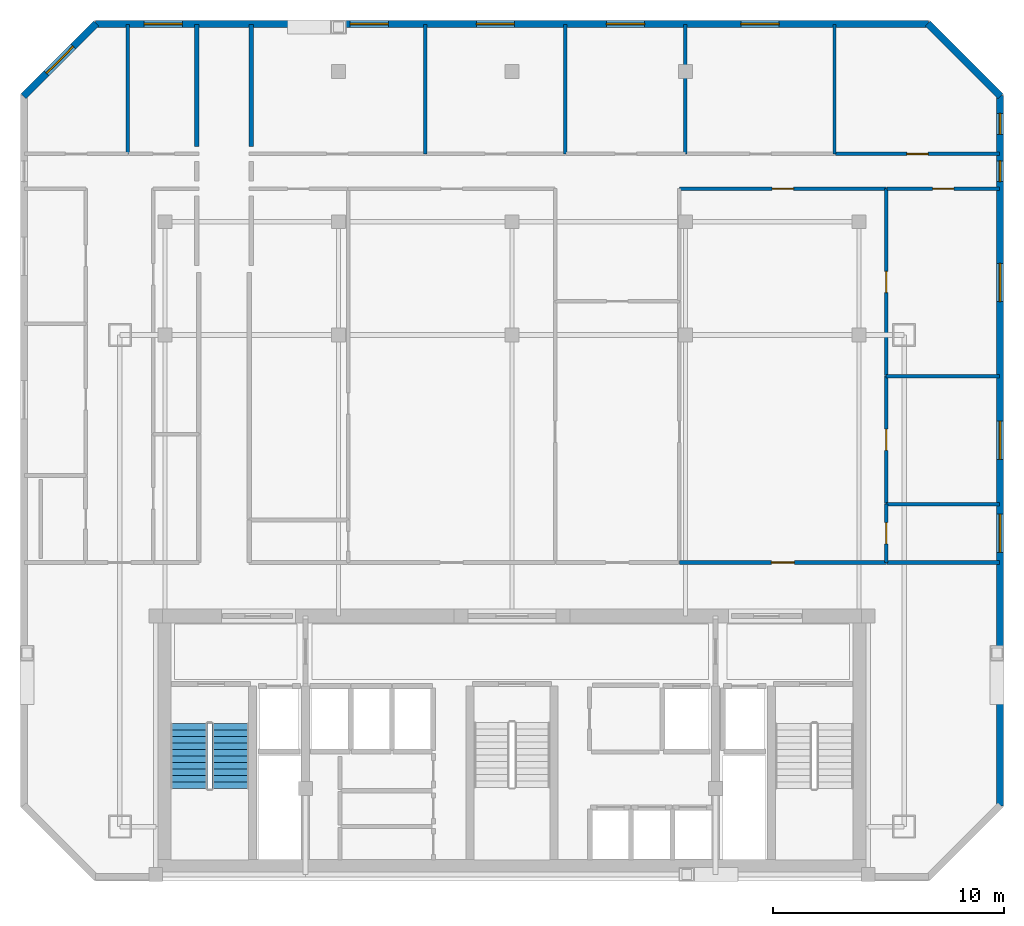
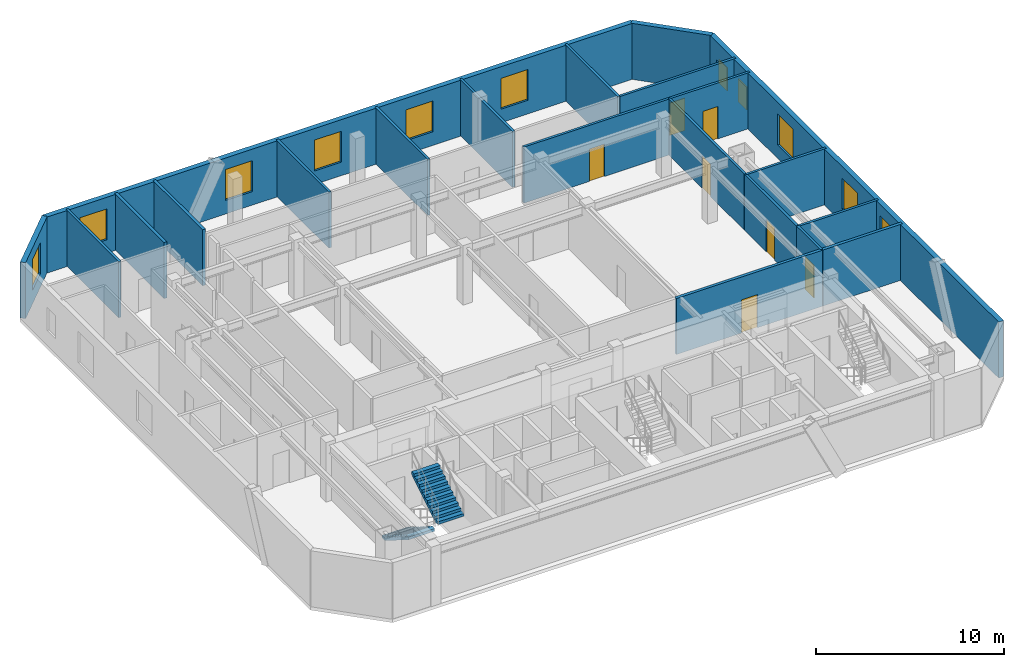
# One storey, part 5 of 7: 21 walls, 11 windows, 7 doors, 2 stair flights, 18 openings, 1 element without a shape of its own.
"""IFC4 building model written with IfcOpenShell, lengths in metres."""

import ifcopenshell
import ifcopenshell.guid

model = None  # the IFC model being written
_history = None  # IfcOwnerHistory: only IFC2X3 demands one
_inside = {}  # id of a spatial element -> (the spatial element, [elements in it])
_under = {}  # id of a project, library or spatial element -> (it, [spatial elements below it])
_declared = {}  # id of a project -> (the project, [libraries it declares])
_typed = {}  # id of a type object -> (the type object, [elements of that type])
_made_of = {}  # id of a material, layer set ... -> (it, [elements and type objects made of it])


def new_model(schema):
    """Start an empty IFC model of exactly this schema.

    Asked for "IFC4X3", IfcOpenShell would pick the latest addendum, in which some entities
    have other attributes; the version numbers below select the first issue.
    IFC2X3 requires an IfcOwnerHistory on every rooted entity: one is made here for all.
    """
    global model, _history
    if schema == "IFC4X3":
        model = ifcopenshell.file(schema_version=(4, 3, 0, 0))
    else:
        model = ifcopenshell.file(schema=schema)
    _inside.clear()
    _under.clear()
    _declared.clear()
    _typed.clear()
    _made_of.clear()
    _history = None
    if model.schema == "IFC2X3":
        org = make("IfcOrganization", Name="unknown")
        user = make(
            "IfcPersonAndOrganization",
            ThePerson=make("IfcPerson", FamilyName="unknown"),
            TheOrganization=org,
        )
        app = make(
            "IfcApplication",
            ApplicationDeveloper=org,
            Version="unknown",
            ApplicationFullName="unknown",
            ApplicationIdentifier="unknown",
        )
        _history = make(
            "IfcOwnerHistory",
            OwningUser=user,
            OwningApplication=app,
            ChangeAction="ADDED",
            CreationDate=0,
        )
    return model


def make(cls, **values):
    """One entity of the class cls with the attributes given. An attribute that is None is left unset."""
    return model.create_entity(
        cls, **{name: value for name, value in values.items() if value is not None}
    )


def rooted(cls, **values):
    """An entity with a GlobalId (a new one), such as an element, a storey or a relation."""
    return make(cls, GlobalId=ifcopenshell.guid.new(), OwnerHistory=_history, **values)


def si_unit(unit_type, name, prefix=None):
    """IfcSIUnit, for example si_unit("LENGTHUNIT", "METRE", prefix="MILLI")."""
    return make("IfcSIUnit", UnitType=unit_type, Prefix=prefix, Name=name)


def assignment(units):
    """IfcUnitAssignment: the units of a project."""
    return None if units is None else make("IfcUnitAssignment", Units=units)


def point(xyz):
    """IfcCartesianPoint."""
    return None if xyz is None else make("IfcCartesianPoint", Coordinates=xyz)


def direction(xyz):
    """IfcDirection."""
    return None if xyz is None else make("IfcDirection", DirectionRatios=xyz)


def frame(location, z_axis=None, x_axis=None):
    """IfcAxis2Placement3D, a coordinate frame: its origin and axes. An axis left out is left unset."""
    return make(
        "IfcAxis2Placement3D",
        Location=point(location),
        Axis=direction(z_axis),
        RefDirection=direction(x_axis),
    )


def frame_2d(location, x_axis=None):
    """IfcAxis2Placement2D, a coordinate frame in the plane: its origin and x axis."""
    return make(
        "IfcAxis2Placement2D", Location=point(location), RefDirection=direction(x_axis)
    )


def origin():
    """The frame at (0, 0, 0) with its axes left unset."""
    return frame((0.0, 0.0, 0.0))


def place(relative_to, where):
    """IfcLocalPlacement: puts the frame where relative to a parent placement (None: the world)."""
    return make(
        "IfcLocalPlacement", PlacementRelTo=relative_to, RelativePlacement=where
    )


def context(
    kind, dimensions, precision=None, world=None, true_north=None, identifier=None
):
    """IfcGeometricRepresentationContext, for example the 3D "Model" context."""
    return make(
        "IfcGeometricRepresentationContext",
        ContextIdentifier=identifier,
        ContextType=kind,
        CoordinateSpaceDimension=dimensions,
        Precision=precision,
        WorldCoordinateSystem=world,
        TrueNorth=true_north,
    )


def subcontext(parent, identifier, kind, view, scale=None):
    """IfcGeometricRepresentationSubContext, for example "Body" below "Model"."""
    return make(
        "IfcGeometricRepresentationSubContext",
        ContextIdentifier=identifier,
        ContextType=kind,
        ParentContext=parent,
        TargetScale=scale,
        TargetView=view,
    )


def project(units=None, contexts=None):
    """IfcProject with its units and contexts."""
    return rooted(
        "IfcProject",
        Name="project",
        RepresentationContexts=contexts,
        UnitsInContext=assignment(units),
    )


def spatial(cls, under=None, at=None, **own):
    """A site, building, storey or space (cls), placed at a placement, below another one or the project."""
    s = rooted(cls, ObjectPlacement=at, **own)
    if under is not None:
        _under.setdefault(under.id(), (under, []))[1].append(s)
    return s


def polyline(points):
    """IfcPolyline through the points."""
    return make("IfcPolyline", Points=[point(p) for p in points])


def profile(cls, at=None, kind="AREA", **sizes):
    """A parametric profile (cls). Its sizes go by their IFC names, for example OverallWidth=200.0."""
    return make(cls, ProfileType=kind, Position=at, **sizes)


def rectangle(**sizes):
    """IfcRectangleProfileDef."""
    return profile("IfcRectangleProfileDef", **sizes)


def outline(outer, holes=None, kind="AREA"):
    """IfcArbitraryClosedProfileDef: a profile drawn as a closed curve; with holes, ...WithVoids."""
    if holes is None:
        return make("IfcArbitraryClosedProfileDef", ProfileType=kind, OuterCurve=outer)
    return make(
        "IfcArbitraryProfileDefWithVoids",
        ProfileType=kind,
        OuterCurve=outer,
        InnerCurves=holes,
    )


def extrude(swept, where, along, depth):
    """IfcExtrudedAreaSolid: the profile swept, set in the frame where, extruded along a direction by depth."""
    return make(
        "IfcExtrudedAreaSolid",
        SweptArea=swept,
        Position=where,
        ExtrudedDirection=direction(along),
        Depth=depth,
    )


def shape(context_of_items, identifier, shape_type, items):
    """IfcShapeRepresentation: the items that make up one representation, for example the "Body"."""
    return make(
        "IfcShapeRepresentation",
        ContextOfItems=context_of_items,
        RepresentationIdentifier=identifier,
        RepresentationType=shape_type,
        Items=items,
    )


def material(Name=None, Category=None):
    """IfcMaterial."""
    return make("IfcMaterial", Name=Name, Category=Category)


def layer(
    of_material, thickness, ventilated=None, Name=None, Category=None, Priority=None
):
    """IfcMaterialLayer: one layer of a wall or slab, of a material (None: an air gap)."""
    return make(
        "IfcMaterialLayer",
        Material=of_material,
        LayerThickness=thickness,
        IsVentilated=ventilated,
        Name=Name,
        Category=Category,
        Priority=Priority,
    )


def layer_set(layers, Name=None):
    """IfcMaterialLayerSet."""
    return make("IfcMaterialLayerSet", MaterialLayers=layers, LayerSetName=Name)


def made_of(thing, what):
    """Note that an element or type object is made of a material, layer set ...; save() writes the relation."""
    if what is not None:
        _made_of.setdefault(what.id(), (what, []))[1].append(thing)
    return thing


def type_object(cls, material=None, **own):
    """A type object (cls), such as IfcWallType, which elements share."""
    return made_of(rooted(cls, **own), material)


def element(
    cls,
    number,
    at=None,
    inside=None,
    cuts=None,
    type_object=None,
    material=None,
    context=None,
    identifier="Body",
    shape_type=None,
    held_by="IfcProductDefinitionShape",
    body=None,
    shapes=None,
    **own,
):
    """One element of the class cls, such as IfcWall. Its Tag is "e" and its number.

    at: its placement. inside: the storey or other place that contains it. cuts: it is an
    opening in that element (IfcRelVoidsElement). A single representation is given by context,
    identifier, shape_type and body (its items); several are given by shapes. held_by: the class
    of the entity that holds the representations. save() writes the other relations.
    """
    e = rooted(cls, Tag="e%d" % number, ObjectPlacement=at, **own)
    if body is not None:
        shapes = [shape(context, identifier, shape_type, body)]
    if shapes is not None:
        e.Representation = make(held_by, Representations=shapes)
    if inside is not None:
        _inside.setdefault(inside.id(), (inside, []))[1].append(e)
    if cuts is not None:
        rooted(
            "IfcRelVoidsElement", RelatingBuildingElement=cuts, RelatedOpeningElement=e
        )
    if type_object is not None:
        _typed.setdefault(type_object.id(), (type_object, []))[1].append(e)
    return made_of(e, material)


def fill(opening, filler):
    """IfcRelFillsElement: the door or window that sits in an opening."""
    return rooted(
        "IfcRelFillsElement",
        RelatingOpeningElement=opening,
        RelatedBuildingElement=filler,
    )


def aggregate(whole, parts):
    """IfcRelAggregates: a whole, such as a stair, and the parts it consists of."""
    return rooted("IfcRelAggregates", RelatingObject=whole, RelatedObjects=parts)


def save(model, path):
    """Write the relations noted so far, then the file.

    IfcRelAggregates (storeys below a building ...), IfcRelContainedInSpatialStructure (elements
    in a storey), IfcRelDefinesByType, IfcRelAssociatesMaterial and IfcRelDeclares: one each for
    every whole, place, type object, material and project.
    """
    for whole, parts in _under.values():
        aggregate(whole, parts)
    for where, things in _inside.values():
        rooted(
            "IfcRelContainedInSpatialStructure",
            RelatedElements=things,
            RelatingStructure=where,
        )
    for kind, things in _typed.values():
        rooted("IfcRelDefinesByType", RelatedObjects=things, RelatingType=kind)
    for what, things in _made_of.values():
        rooted("IfcRelAssociatesMaterial", RelatedObjects=things, RelatingMaterial=what)
    for by, libraries in _declared.values():
        rooted("IfcRelDeclares", RelatingContext=by, RelatedDefinitions=libraries)
    model.write(path)


model = new_model("IFC4")

# Units and contexts
model_context = context("Model", 3, precision=1e-05, world=origin(), true_north=direction((0.0, 1.0)))
body_context = subcontext(model_context, "Body", "Model", "MODEL_VIEW")
ifc_project = project(units=[si_unit("LENGTHUNIT", "METRE"), si_unit("AREAUNIT", "SQUARE_METRE"), si_unit("VOLUMEUNIT", "CUBIC_METRE"), si_unit("PLANEANGLEUNIT", "RADIAN"), si_unit("MASSUNIT", "GRAM", prefix="KILO")], contexts=[model_context])

# Site, building, storey
site_placement = place(None, origin())
site = spatial("IfcSite", under=ifc_project, at=site_placement, CompositionType="ELEMENT")
building_placement = place(site_placement, origin())
building = spatial("IfcBuilding", under=site, at=building_placement, Name="Ventersveld Concourse Tower", CompositionType="ELEMENT")
storey_placement = place(building_placement, frame((0.0, 0.0, 231.10009765625)))
storey = spatial("IfcBuildingStorey", under=building, at=storey_placement, Name="L57", CompositionType="ELEMENT", Elevation=231.10009765625)

# Wall, opening, door
ifc_material_1 = material(Name="Fire-rated autoclaved aerated masonry blockwork", Category="masonry")
ifc_layer_1 = layer(ifc_material_1, 0.179931640625)
ifc_layer_set_1 = layer_set([ifc_layer_1], Name="Fire-rated autoclaved aerated masonry blockwork")
wall_type_1 = type_object("IfcWallType", Name="WL-CORR-180", PredefinedType="PARTITIONING", material=ifc_layer_set_1)
wall_1_placement = place(storey_placement, frame((35.985107421875, 13.77001953125, 0.0), z_axis=(0.0, 0.0, 1.0), x_axis=(1.0, 0.0, 0.0)))
wall_1 = element("IfcWall", 1, at=wall_1_placement, inside=storey, type_object=wall_type_1, Name="L57 Interior Partition SP-L57-COR-SP-L57-57N1-EGAL1", PredefinedType="PARTITIONING", context=body_context, shape_type="SweptSolid", body=[
    extrude(rectangle(XDim=8.949951171875, YDim=0.179931640625, at=frame_2d((4.47509765625, 0.0))), origin(), (0.0, 0.0, 1.0), 3.6298828125),
])
opening_1_placement = place(wall_1_placement, frame((3.97509765625, 0.0, 0.0)))
opening_1 = element("IfcOpeningElement", 2, at=opening_1_placement, cuts=wall_1, Name="Opening FD3", PredefinedType="OPENING", context=body_context, shape_type="SweptSolid", body=[
    extrude(rectangle(XDim=1.0, YDim=2.14990234375, at=frame_2d((0.5, 1.074951171875))), frame((0.0, 0.10009765625, 0.0), z_axis=(0.0, -1.0, 0.0), x_axis=(1.0, 0.0, 0.0)), (0.0, 0.0, 1.0), 0.199951171875),
])
ifc_material_2 = material(Name="Solid-core hardwood veneer timber", Category="wood")
door_type_1 = type_object("IfcDoorType", Name="DR-FLAT-100", OperationType="NOTDEFINED", PredefinedType="DOOR", material=ifc_material_2)
door_1_placement = place(opening_1_placement, origin())
door_1 = element("IfcDoor", 3, at=door_1_placement, inside=storey, type_object=door_type_1, Name="L57 Interior Door SP-L57-COR to SP-L57-57N1-EGAL1 (FD-L57-2750)", OperationType="SINGLE_SWING_RIGHT", OverallHeight=2.14990234375, OverallWidth=1.0, PredefinedType="DOOR", context=body_context, shape_type="SweptSolid", body=[
    extrude(rectangle(XDim=1.0, YDim=2.14990234375, at=frame_2d((0.5, 1.074951171875))), frame((0.0, 0.02490234375, 0.0), z_axis=(0.0, -1.0, 0.0), x_axis=(1.0, 0.0, 0.0)), (0.0, 0.0, 1.0), 0.050048828125),
])
fill(opening_1, door_1)

# Walls
wall_2_placement = place(storey_placement, frame((44.965087890625, 13.77001953125, 0.0), z_axis=(0.0, 0.0, 1.0), x_axis=(1.0, 0.0, 0.0)))
element("IfcWall", 4, at=wall_2_placement, inside=storey, type_object=wall_type_1, Name="L57 Interior Partition SP-L57-COR-SP-L57-57N1-KIT", PredefinedType="PARTITIONING", context=body_context, shape_type="SweptSolid", body=[
    extrude(rectangle(XDim=4.8623046875, YDim=0.179931640625, at=frame_2d((2.43115234375, 0.0))), origin(), (0.0, 0.0, 1.0), 3.6298828125),
])
for number, where, z_axis, x_axis, name in (
    (5, (15.1201171875, 37.027587890625, 0.0), (0.0, 0.0, 1.0), (0.0, -1.0, 0.0), "L57 Room Enclosure Wall SP-L57-57NW-BR2"),
    (6, (17.47998046875, 31.7548828125, 0.0), (0.0, 0.0, 1.0), (0.0, 1.0, 0.0), "L57 Room Enclosure Wall SP-L57-57N1-BR1"),
):
    element("IfcWall", number, at=place(storey_placement, frame(where, z_axis=z_axis, x_axis=x_axis)), inside=storey, type_object=wall_type_1, Name=name, PredefinedType="PARTITIONING", context=body_context, shape_type="SweptSolid", body=[
        extrude(rectangle(XDim=5.272705078125, YDim=0.179931640625, at=frame_2d((2.63623046875, 0.0))), origin(), (0.0, 0.0, 1.0), 3.6298828125),
    ])
ifc_material_3 = material(Name="Autoclaved aerated masonry blockwork", Category="masonry")
ifc_layer_2 = layer(ifc_material_3, 0.14990234375)
ifc_layer_set_2 = layer_set([ifc_layer_2], Name="Autoclaved aerated masonry blockwork")
wall_type_2 = type_object("IfcWallType", Name="WL-INT-150", PredefinedType="PARTITIONING", material=ifc_layer_set_2)
wall_3_placement = place(storey_placement, frame((12.135986328125, 31.425048828125, 0.0), z_axis=(0.0, 0.0, 1.0), x_axis=(0.0, 1.0, 0.0)))
element("IfcWall", 7, at=wall_3_placement, inside=storey, type_object=wall_type_2, Name="L57 Interior Partition SP-L57-57NW-BR1-SP-L57-57NW-BR2", PredefinedType="PARTITIONING", context=body_context, shape_type="SweptSolid", body=[
    extrude(rectangle(XDim=5.6025390625, YDim=0.14990234375, at=frame_2d((2.80126953125, 0.0))), origin(), (0.0, 0.0, 1.0), 3.6298828125),
])

# Wall, opening, door
wall_4_placement = place(storey_placement, frame((35.985107421875, 29.929931640625, 0.0), z_axis=(0.0, 0.0, 1.0), x_axis=(1.0, 0.0, 0.0)))
wall_4 = element("IfcWall", 8, at=wall_4_placement, inside=storey, type_object=wall_type_2, Name="L57 Interior Partition SP-L57-57N1-EGAL1-SP-L57-57N1-LIV", PredefinedType="PARTITIONING", context=body_context, shape_type="SweptSolid", body=[
    extrude(rectangle(XDim=8.949951171875, YDim=0.14990234375, at=frame_2d((4.47509765625, 0.0))), origin(), (0.0, 0.0, 1.0), 3.6298828125),
])
opening_2_placement = place(wall_4_placement, frame((4.014892578125, 0.0, 0.0)))
opening_2 = element("IfcOpeningElement", 9, at=opening_2_placement, cuts=wall_4, Name="Opening ID1", PredefinedType="OPENING", context=body_context, shape_type="SweptSolid", body=[
    extrude(rectangle(XDim=0.919921875, YDim=2.10009765625, at=frame_2d((0.4599609375, 1.050048828125))), frame((0.0, 0.0849609375, 0.0), z_axis=(0.0, -1.0, 0.0), x_axis=(1.0, 0.0, 0.0)), (0.0, 0.0, 1.0), 0.169921875),
])
door_type_2 = type_object("IfcDoorType", Name="DR-ROOM-092", OperationType="NOTDEFINED", PredefinedType="DOOR", material=ifc_material_2)
door_2_placement = place(opening_2_placement, origin())
door_2 = element("IfcDoor", 10, at=door_2_placement, inside=storey, type_object=door_type_2, Name="L57 Interior Door SP-L57-57N1-EGAL1 to SP-L57-57N1-LIV (D-L57-2764)", OperationType="SINGLE_SWING_RIGHT", OverallHeight=2.10009765625, OverallWidth=0.919921875, PredefinedType="DOOR", context=body_context, shape_type="SweptSolid", body=[
    extrude(rectangle(XDim=0.919921875, YDim=2.10009765625, at=frame_2d((0.4599609375, 1.050048828125))), frame((0.0, 0.02490234375, 0.0), z_axis=(0.0, -1.0, 0.0), x_axis=(1.0, 0.0, 0.0)), (0.0, 0.0, 1.0), 0.050048828125),
])
fill(opening_2, door_2)

wall_5_placement = place(storey_placement, frame((44.929931640625, 13.764892578125, 0.0), z_axis=(0.0, 0.0, 1.0), x_axis=(0.0, 1.0, 0.0)))
wall_5 = element("IfcWall", 11, at=wall_5_placement, inside=storey, type_object=wall_type_2, Name="L57 Interior Partition SP-L57-57N1-EGAL1-SP-L57-57N1-KIT", PredefinedType="PARTITIONING", context=body_context, shape_type="SweptSolid", body=[
    extrude(rectangle(XDim=2.531494140625, YDim=0.14990234375, at=frame_2d((1.265625, 0.0))), origin(), (0.0, 0.0, 1.0), 3.6298828125),
])
opening_3_placement = place(wall_5_placement, frame((0.805908203125, 0.0, 0.0)))
opening_3 = element("IfcOpeningElement", 12, at=opening_3_placement, cuts=wall_5, Name="Opening ID1", PredefinedType="OPENING", context=body_context, shape_type="SweptSolid", body=[
    extrude(rectangle(XDim=0.919921875, YDim=2.10009765625, at=frame_2d((0.4599609375, 1.050048828125))), frame((0.0, 0.0849609375, 0.0), z_axis=(0.0, -1.0, 0.0), x_axis=(1.0, 0.0, 0.0)), (0.0, 0.0, 1.0), 0.169921875),
])
door_3_placement = place(opening_3_placement, origin())
door_3 = element("IfcDoor", 13, at=door_3_placement, inside=storey, type_object=door_type_2, Name="L57 Interior Door SP-L57-57N1-EGAL1 to SP-L57-57N1-KIT (D-L57-2765)", OperationType="SINGLE_SWING_LEFT", OverallHeight=2.10009765625, OverallWidth=0.919921875, PredefinedType="DOOR", context=body_context, shape_type="SweptSolid", body=[
    extrude(rectangle(XDim=0.919921875, YDim=2.10009765625, at=frame_2d((0.4599609375, 1.050048828125))), frame((0.0, 0.02490234375, 0.0), z_axis=(0.0, -1.0, 0.0), x_axis=(1.0, 0.0, 0.0)), (0.0, 0.0, 1.0), 0.050048828125),
])
fill(opening_3, door_3)

wall_6_placement = place(storey_placement, frame((44.929931640625, 16.326416015625, 0.0), z_axis=(0.0, 0.0, 1.0), x_axis=(0.0, 1.0, 0.0)))
wall_6 = element("IfcWall", 14, at=wall_6_placement, inside=storey, type_object=wall_type_2, Name="L57 Interior Partition SP-L57-57N1-EGAL1-SP-L57-57N1-OFFR1", PredefinedType="PARTITIONING", context=body_context, shape_type="SweptSolid", body=[
    extrude(rectangle(XDim=5.49609375, YDim=0.14990234375, at=frame_2d((2.748046875, 0.0))), origin(), (0.0, 0.0, 1.0), 3.6298828125),
])
opening_4_placement = place(wall_6_placement, frame((2.2880859375, 0.0, 0.0)))
opening_4 = element("IfcOpeningElement", 15, at=opening_4_placement, cuts=wall_6, Name="Opening ID1", PredefinedType="OPENING", context=body_context, shape_type="SweptSolid", body=[
    extrude(rectangle(XDim=0.919921875, YDim=2.10009765625, at=frame_2d((0.4599609375, 1.050048828125))), frame((0.0, 0.0849609375, 0.0), z_axis=(0.0, -1.0, 0.0), x_axis=(1.0, 0.0, 0.0)), (0.0, 0.0, 1.0), 0.169921875),
])
door_4_placement = place(opening_4_placement, origin())
door_4 = element("IfcDoor", 16, at=door_4_placement, inside=storey, type_object=door_type_2, Name="L57 Interior Door SP-L57-57N1-EGAL1 to SP-L57-57N1-OFFR1 (D-L57-2766)", OperationType="SINGLE_SWING_RIGHT", OverallHeight=2.10009765625, OverallWidth=0.919921875, PredefinedType="DOOR", context=body_context, shape_type="SweptSolid", body=[
    extrude(rectangle(XDim=0.919921875, YDim=2.10009765625, at=frame_2d((0.4599609375, 1.050048828125))), frame((0.0, 0.02490234375, 0.0), z_axis=(0.0, -1.0, 0.0), x_axis=(1.0, 0.0, 0.0)), (0.0, 0.0, 1.0), 0.050048828125),
])
fill(opening_4, door_4)

wall_7_placement = place(storey_placement, frame((44.929931640625, 21.8525390625, 0.0), z_axis=(0.0, 0.0, 1.0), x_axis=(0.0, 1.0, 0.0)))
wall_7 = element("IfcWall", 17, at=wall_7_placement, inside=storey, type_object=wall_type_2, Name="L57 Interior Partition SP-L57-57N1-EGAL1-SP-L57-57N1-DENS", PredefinedType="PARTITIONING", context=body_context, shape_type="SweptSolid", body=[
    extrude(rectangle(XDim=8.08251953125, YDim=0.14990234375, at=frame_2d((4.041259765625, 0.0))), origin(), (0.0, 0.0, 1.0), 3.6298828125),
])
opening_5_placement = place(wall_7_placement, frame((3.581298828125, 0.0, 0.0)))
opening_5 = element("IfcOpeningElement", 18, at=opening_5_placement, cuts=wall_7, Name="Opening ID1", PredefinedType="OPENING", context=body_context, shape_type="SweptSolid", body=[
    extrude(rectangle(XDim=0.919921875, YDim=2.10009765625, at=frame_2d((0.4599609375, 1.050048828125))), frame((0.0, 0.0849609375, 0.0), z_axis=(0.0, -1.0, 0.0), x_axis=(1.0, 0.0, 0.0)), (0.0, 0.0, 1.0), 0.169921875),
])
door_5_placement = place(opening_5_placement, origin())
door_5 = element("IfcDoor", 19, at=door_5_placement, inside=storey, type_object=door_type_2, Name="L57 Interior Door SP-L57-57N1-EGAL1 to SP-L57-57N1-DENS (D-L57-2767)", OperationType="SINGLE_SWING_LEFT", OverallHeight=2.10009765625, OverallWidth=0.919921875, PredefinedType="DOOR", context=body_context, shape_type="SweptSolid", body=[
    extrude(rectangle(XDim=0.919921875, YDim=2.10009765625, at=frame_2d((0.4599609375, 1.050048828125))), frame((0.0, 0.02490234375, 0.0), z_axis=(0.0, -1.0, 0.0), x_axis=(1.0, 0.0, 0.0)), (0.0, 0.0, 1.0), 0.050048828125),
])
fill(opening_5, door_5)

wall_8_placement = place(storey_placement, frame((44.965087890625, 29.929931640625, 0.0), z_axis=(0.0, 0.0, 1.0), x_axis=(1.0, 0.0, 0.0)))
wall_8 = element("IfcWall", 20, at=wall_8_placement, inside=storey, type_object=wall_type_2, Name="L57 Interior Partition SP-L57-57N1-LIV-SP-L57-57N1-DENS", PredefinedType="PARTITIONING", context=body_context, shape_type="SweptSolid", body=[
    extrude(rectangle(XDim=4.8623046875, YDim=0.14990234375, at=frame_2d((2.43115234375, 0.0))), origin(), (0.0, 0.0, 1.0), 3.6298828125),
])
opening_6_placement = place(wall_8_placement, frame((1.97119140625, 0.0, 0.0)))
opening_6 = element("IfcOpeningElement", 21, at=opening_6_placement, cuts=wall_8, Name="Opening ID1", PredefinedType="OPENING", context=body_context, shape_type="SweptSolid", body=[
    extrude(rectangle(XDim=0.919921875, YDim=2.10009765625, at=frame_2d((0.4599609375, 1.050048828125))), frame((0.0, 0.0849609375, 0.0), z_axis=(0.0, -1.0, 0.0), x_axis=(1.0, 0.0, 0.0)), (0.0, 0.0, 1.0), 0.169921875),
])
door_6_placement = place(opening_6_placement, origin())
door_6 = element("IfcDoor", 22, at=door_6_placement, inside=storey, type_object=door_type_2, Name="L57 Interior Door SP-L57-57N1-LIV to SP-L57-57N1-DENS (D-L57-2770)", OperationType="SINGLE_SWING_RIGHT", OverallHeight=2.10009765625, OverallWidth=0.919921875, PredefinedType="DOOR", context=body_context, shape_type="SweptSolid", body=[
    extrude(rectangle(XDim=0.919921875, YDim=2.10009765625, at=frame_2d((0.4599609375, 1.050048828125))), frame((0.0, 0.02490234375, 0.0), z_axis=(0.0, -1.0, 0.0), x_axis=(1.0, 0.0, 0.0)), (0.0, 0.0, 1.0), 0.050048828125),
])
fill(opening_6, door_6)

wall_9_placement = place(storey_placement, frame((42.727294921875, 31.429931640625, 0.0), z_axis=(0.0, 0.0, 1.0), x_axis=(1.0, 0.0, 0.0)))
wall_9 = element("IfcWall", 23, at=wall_9_placement, inside=storey, type_object=wall_type_2, Name="L57 Interior Partition SP-L57-57N1-LIV-SP-L57-57N1-BR5", PredefinedType="PARTITIONING", context=body_context, shape_type="SweptSolid", body=[
    extrude(rectangle(XDim=7.10009765625, YDim=0.14990234375, at=frame_2d((3.550048828125, 0.0))), origin(), (0.0, 0.0, 1.0), 3.6298828125),
])
opening_7_placement = place(wall_9_placement, frame((3.090087890625, 0.0, 0.0)))
opening_7 = element("IfcOpeningElement", 24, at=opening_7_placement, cuts=wall_9, Name="Opening ID1", PredefinedType="OPENING", context=body_context, shape_type="SweptSolid", body=[
    extrude(rectangle(XDim=0.919921875, YDim=2.10009765625, at=frame_2d((0.4599609375, 1.050048828125))), frame((0.0, 0.0849609375, 0.0), z_axis=(0.0, -1.0, 0.0), x_axis=(1.0, 0.0, 0.0)), (0.0, 0.0, 1.0), 0.169921875),
])
door_7_placement = place(opening_7_placement, origin())
door_7 = element("IfcDoor", 25, at=door_7_placement, inside=storey, type_object=door_type_2, Name="L57 Interior Door SP-L57-57N1-LIV to SP-L57-57N1-BR5 (D-L57-2775)", OperationType="SINGLE_SWING_LEFT", OverallHeight=2.10009765625, OverallWidth=0.919921875, PredefinedType="DOOR", context=body_context, shape_type="SweptSolid", body=[
    extrude(rectangle(XDim=0.919921875, YDim=2.10009765625, at=frame_2d((0.4599609375, 1.050048828125))), frame((0.0, 0.02490234375, 0.0), z_axis=(0.0, -1.0, 0.0), x_axis=(1.0, 0.0, 0.0)), (0.0, 0.0, 1.0), 0.050048828125),
])
fill(opening_7, door_7)

# Walls
for number, where, z_axis, x_axis, name in (
    (26, (44.925048828125, 16.29150390625, 0.0), (0.0, 0.0, 1.0), (1.0, 0.0, 0.0), "L57 Interior Partition SP-L57-57N1-KIT-SP-L57-57N1-OFFR1"),
    (27, (44.925048828125, 21.8173828125, 0.0), (0.0, 0.0, 1.0), (1.0, 0.0, 0.0), "L57 Interior Partition SP-L57-57N1-OFFR1-SP-L57-57N1-DENS"),
):
    element("IfcWall", number, at=place(storey_placement, frame(where, z_axis=z_axis, x_axis=x_axis)), inside=storey, type_object=wall_type_2, Name=name, PredefinedType="PARTITIONING", context=body_context, shape_type="SweptSolid", body=[
        extrude(rectangle(XDim=4.90234375, YDim=0.14990234375, at=frame_2d((2.451171875, 0.0))), origin(), (0.0, 0.0, 1.0), 3.6298828125),
    ])
for number, where, z_axis, x_axis, name in (
    (28, (25.006591796875, 31.425048828125, 0.0), (0.0, 0.0, 1.0), (0.0, 1.0, 0.0), "L57 Interior Partition SP-L57-57N1-BR1-SP-L57-57N1-BR2"),
    (29, (31.057373046875, 31.425048828125, 0.0), (0.0, 0.0, 1.0), (0.0, 1.0, 0.0), "L57 Interior Partition SP-L57-57N1-BR2-SP-L57-57N1-BR3"),
    (30, (36.25, 31.425048828125, 0.0), (0.0, 0.0, 1.0), (0.0, 1.0, 0.0), "L57 Interior Partition SP-L57-57N1-BR3-SP-L57-57N1-BR4"),
    (31, (42.6923828125, 31.425048828125, 0.0), (0.0, 0.0, 1.0), (0.0, 1.0, 0.0), "L57 Interior Partition SP-L57-57N1-BR4-SP-L57-57N1-BR5"),
):
    element("IfcWall", number, at=place(storey_placement, frame(where, z_axis=z_axis, x_axis=x_axis)), inside=storey, type_object=wall_type_2, Name=name, PredefinedType="PARTITIONING", context=body_context, shape_type="SweptSolid", body=[
        extrude(rectangle(XDim=5.6025390625, YDim=0.14990234375, at=frame_2d((2.80126953125, 0.0))), origin(), (0.0, 0.0, 1.0), 3.6298828125),
    ])

# Wall, openings, windows
ifc_material_4 = material(Name="Precast concrete C45/55", Category="concrete")
ifc_layer_3 = layer(ifc_material_4, 0.300048828125)
ifc_layer_set_3 = layer_set([ifc_layer_3], Name="Precast concrete C45/55")
wall_type_3 = type_object("IfcWallType", Name="WL-PREC-300", PredefinedType="SOLIDWALL", material=ifc_layer_set_3)
wall_10_placement = place(storey_placement, frame((49.85009765625, 3.239990234375, 0.0), z_axis=(0.0, 0.0, 1.0), x_axis=(0.0, 1.0, 0.0)))
wall_10 = element("IfcWall", 32, at=wall_10_placement, inside=storey, type_object=wall_type_3, Name="L57 Highveld Precast Facade Wall E03", PredefinedType="SOLIDWALL", context=body_context, shape_type="SweptSolid", body=[
    extrude(rectangle(XDim=30.719970703125, YDim=0.300048828125, at=frame_2d((15.35986328125, 0.0))), origin(), (0.0, 0.0, 1.0), 3.6298828125),
])
opening_8_placement = place(wall_10_placement, frame((26.989990234375, 0.0, 0.949951171875)))
opening_8 = element("IfcOpeningElement", 33, at=opening_8_placement, cuts=wall_10, Name="Opening W4", PredefinedType="OPENING", context=body_context, shape_type="SweptSolid", body=[
    extrude(rectangle(XDim=0.89990234375, YDim=1.5, at=frame_2d((0.449951171875, 0.75))), frame((0.0, 0.16015625, 0.0), z_axis=(0.0, -1.0, 0.0), x_axis=(1.0, 0.0, 0.0)), (0.0, 0.0, 1.0), 0.320068359375),
])
opening_9_placement = place(wall_10_placement, frame((10.9658203125, 0.0, 0.8798828125)))
opening_9 = element("IfcOpeningElement", 34, at=opening_9_placement, cuts=wall_10, Name="Opening W6", PredefinedType="OPENING", context=body_context, shape_type="SweptSolid", body=[
    extrude(rectangle(XDim=1.64990234375, YDim=2.0, at=frame_2d((0.824951171875, 1.0))), frame((0.0, 0.16015625, 0.0), z_axis=(0.0, -1.0, 0.0), x_axis=(1.0, 0.0, 0.0)), (0.0, 0.0, 1.0), 0.320068359375),
])
opening_10_placement = place(wall_10_placement, frame((14.989501953125, 0.0, 0.8798828125)))
opening_10 = element("IfcOpeningElement", 35, at=opening_10_placement, cuts=wall_10, Name="Opening W6", PredefinedType="OPENING", context=body_context, shape_type="SweptSolid", body=[
    extrude(rectangle(XDim=1.64990234375, YDim=2.0, at=frame_2d((0.824951171875, 1.0))), frame((0.0, 0.16015625, 0.0), z_axis=(0.0, -1.0, 0.0), x_axis=(1.0, 0.0, 0.0)), (0.0, 0.0, 1.0), 0.320068359375),
])
opening_11_placement = place(wall_10_placement, frame((21.80859375, 0.0, 0.8798828125)))
opening_11 = element("IfcOpeningElement", 36, at=opening_11_placement, cuts=wall_10, Name="Opening W6", PredefinedType="OPENING", context=body_context, shape_type="SweptSolid", body=[
    extrude(rectangle(XDim=1.64990234375, YDim=2.0, at=frame_2d((0.824951171875, 1.0))), frame((0.0, 0.16015625, 0.0), z_axis=(0.0, -1.0, 0.0), x_axis=(1.0, 0.0, 0.0)), (0.0, 0.0, 1.0), 0.320068359375),
])
opening_12_placement = place(wall_10_placement, frame((29.0400390625, 0.0, 0.949951171875)))
opening_12 = element("IfcOpeningElement", 37, at=opening_12_placement, cuts=wall_10, Name="Opening W4", PredefinedType="OPENING", context=body_context, shape_type="SweptSolid", body=[
    extrude(rectangle(XDim=0.89990234375, YDim=1.5, at=frame_2d((0.449951171875, 0.75))), frame((0.0, 0.16015625, 0.0), z_axis=(0.0, -1.0, 0.0), x_axis=(1.0, 0.0, 0.0)), (0.0, 0.0, 1.0), 0.320068359375),
])
ifc_material_5 = material(Name="Tempered acoustic Low-E IGU", Category="glass")
window_type_1 = type_object("IfcWindowType", Name="WIN-090x150", PartitioningType="SINGLE_PANEL", PredefinedType="WINDOW", material=ifc_material_5)
window_1_placement = place(opening_8_placement, origin())
window_1 = element("IfcWindow", 38, at=window_1_placement, inside=storey, type_object=window_type_1, Name="L57 Punched Low-E Window W-0818", OverallHeight=1.5, OverallWidth=0.89990234375, PartitioningType="SINGLE_PANEL", PredefinedType="WINDOW", context=body_context, shape_type="SweptSolid", body=[
    extrude(rectangle(XDim=0.89990234375, YDim=1.5, at=frame_2d((0.449951171875, 0.75))), frame((0.0, 0.030029296875, 0.0), z_axis=(0.0, -1.0, 0.0), x_axis=(1.0, 0.0, 0.0)), (0.0, 0.0, 1.0), 0.06005859375),
])
fill(opening_8, window_1)
window_2_placement = place(opening_12_placement, origin())
window_2 = element("IfcWindow", 39, at=window_2_placement, inside=storey, type_object=window_type_1, Name="L57 Punched Low-E Window W-0826", OverallHeight=1.5, OverallWidth=0.89990234375, PartitioningType="SINGLE_PANEL", PredefinedType="WINDOW", context=body_context, shape_type="SweptSolid", body=[
    extrude(rectangle(XDim=0.89990234375, YDim=1.5, at=frame_2d((0.449951171875, 0.75))), frame((0.0, 0.030029296875, 0.0), z_axis=(0.0, -1.0, 0.0), x_axis=(1.0, 0.0, 0.0)), (0.0, 0.0, 1.0), 0.06005859375),
])
fill(opening_12, window_2)
window_type_2 = type_object("IfcWindowType", Name="WIN-165x200", PartitioningType="SINGLE_PANEL", PredefinedType="WINDOW", material=ifc_material_5)
window_3_placement = place(opening_9_placement, origin())
window_3 = element("IfcWindow", 40, at=window_3_placement, inside=storey, type_object=window_type_2, Name="L57 Punched Low-E Window W-0819", OverallHeight=2.0, OverallWidth=1.64990234375, PartitioningType="SINGLE_PANEL", PredefinedType="WINDOW", context=body_context, shape_type="SweptSolid", body=[
    extrude(rectangle(XDim=1.64990234375, YDim=2.0, at=frame_2d((0.824951171875, 1.0))), frame((0.0, 0.030029296875, 0.0), z_axis=(0.0, -1.0, 0.0), x_axis=(1.0, 0.0, 0.0)), (0.0, 0.0, 1.0), 0.06005859375),
])
fill(opening_9, window_3)
window_4_placement = place(opening_10_placement, origin())
window_4 = element("IfcWindow", 41, at=window_4_placement, inside=storey, type_object=window_type_2, Name="L57 Punched Low-E Window W-0820", OverallHeight=2.0, OverallWidth=1.64990234375, PartitioningType="SINGLE_PANEL", PredefinedType="WINDOW", context=body_context, shape_type="SweptSolid", body=[
    extrude(rectangle(XDim=1.64990234375, YDim=2.0, at=frame_2d((0.824951171875, 1.0))), frame((0.0, 0.030029296875, 0.0), z_axis=(0.0, -1.0, 0.0), x_axis=(1.0, 0.0, 0.0)), (0.0, 0.0, 1.0), 0.06005859375),
])
fill(opening_10, window_4)
window_5_placement = place(opening_11_placement, origin())
window_5 = element("IfcWindow", 42, at=window_5_placement, inside=storey, type_object=window_type_2, Name="L57 Punched Low-E Window W-0821", OverallHeight=2.0, OverallWidth=1.64990234375, PartitioningType="SINGLE_PANEL", PredefinedType="WINDOW", context=body_context, shape_type="SweptSolid", body=[
    extrude(rectangle(XDim=1.64990234375, YDim=2.0, at=frame_2d((0.824951171875, 1.0))), frame((0.0, 0.030029296875, 0.0), z_axis=(0.0, -1.0, 0.0), x_axis=(1.0, 0.0, 0.0)), (0.0, 0.0, 1.0), 0.06005859375),
])
fill(opening_11, window_5)

# Wall
wall_11_placement = place(storey_placement, frame((49.865478515625, 33.922119140625, 0.0), z_axis=(0.0, 0.0, 1.0), x_axis=(-0.707079321262, 0.707134240044, 0.0)))
element("IfcWall", 43, at=wall_11_placement, inside=storey, type_object=wall_type_3, Name="L57 Highveld Precast Facade Wall E04", PredefinedType="SOLIDWALL", context=body_context, shape_type="SweptSolid", body=[
    extrude(rectangle(XDim=4.445556640625, YDim=0.300048828125, at=frame_2d((2.22265625, 0.0))), origin(), (0.0, 0.0, 1.0), 3.6298828125),
])

# Wall, openings, windows
wall_12_placement = place(storey_placement, frame((46.760009765625, 37.050048828125, 0.0), z_axis=(0.0, 0.0, 1.0), x_axis=(-1.0, 0.0, 0.0)))
wall_12 = element("IfcWall", 44, at=wall_12_placement, inside=storey, type_object=wall_type_3, Name="L57 Highveld Precast Facade Wall E05", PredefinedType="SOLIDWALL", context=body_context, shape_type="SweptSolid", body=[
    extrude(rectangle(XDim=36.02001953125, YDim=0.300048828125, at=frame_2d((18.010009765625, 0.0))), origin(), (0.0, 0.0, 1.0), 3.6298828125),
])
opening_13_placement = place(wall_12_placement, frame((32.261962890625, 0.0, 0.8798828125)))
opening_13 = element("IfcOpeningElement", 45, at=opening_13_placement, cuts=wall_12, Name="Opening W6", PredefinedType="OPENING", context=body_context, shape_type="SweptSolid", body=[
    extrude(rectangle(XDim=1.64990234375, YDim=2.0, at=frame_2d((0.824951171875, 1.0))), frame((0.0, 0.16015625, 0.0), z_axis=(0.0, -1.0, 0.0), x_axis=(1.0, 0.0, 0.0)), (0.0, 0.0, 1.0), 0.320068359375),
])
opening_14_placement = place(wall_12_placement, frame((23.354736328125, 0.0, 0.8798828125)))
opening_14 = element("IfcOpeningElement", 46, at=opening_14_placement, cuts=wall_12, Name="Opening W6", PredefinedType="OPENING", context=body_context, shape_type="SweptSolid", body=[
    extrude(rectangle(XDim=1.64990234375, YDim=2.0, at=frame_2d((0.824951171875, 1.0))), frame((0.0, 0.16015625, 0.0), z_axis=(0.0, -1.0, 0.0), x_axis=(1.0, 0.0, 0.0)), (0.0, 0.0, 1.0), 0.320068359375),
])
opening_15_placement = place(wall_12_placement, frame((17.903076171875, 0.0, 0.8798828125)))
opening_15 = element("IfcOpeningElement", 47, at=opening_15_placement, cuts=wall_12, Name="Opening W6", PredefinedType="OPENING", context=body_context, shape_type="SweptSolid", body=[
    extrude(rectangle(XDim=1.64990234375, YDim=2.0, at=frame_2d((0.824951171875, 1.0))), frame((0.0, 0.16015625, 0.0), z_axis=(0.0, -1.0, 0.0), x_axis=(1.0, 0.0, 0.0)), (0.0, 0.0, 1.0), 0.320068359375),
])
opening_16_placement = place(wall_12_placement, frame((12.28125, 0.0, 0.8798828125)))
opening_16 = element("IfcOpeningElement", 48, at=opening_16_placement, cuts=wall_12, Name="Opening W6", PredefinedType="OPENING", context=body_context, shape_type="SweptSolid", body=[
    extrude(rectangle(XDim=1.64990234375, YDim=2.0, at=frame_2d((0.824951171875, 1.0))), frame((0.0, 0.16015625, 0.0), z_axis=(0.0, -1.0, 0.0), x_axis=(1.0, 0.0, 0.0)), (0.0, 0.0, 1.0), 0.320068359375),
])
opening_17_placement = place(wall_12_placement, frame((6.4638671875, 0.0, 0.8798828125)))
opening_17 = element("IfcOpeningElement", 49, at=opening_17_placement, cuts=wall_12, Name="Opening W6", PredefinedType="OPENING", context=body_context, shape_type="SweptSolid", body=[
    extrude(rectangle(XDim=1.64990234375, YDim=2.0, at=frame_2d((0.824951171875, 1.0))), frame((0.0, 0.16015625, 0.0), z_axis=(0.0, -1.0, 0.0), x_axis=(1.0, 0.0, 0.0)), (0.0, 0.0, 1.0), 0.320068359375),
])
window_6_placement = place(opening_13_placement, origin())
window_6 = element("IfcWindow", 50, at=window_6_placement, inside=storey, type_object=window_type_2, Name="L57 Punched Low-E Window W-0817", OverallHeight=2.0, OverallWidth=1.64990234375, PartitioningType="SINGLE_PANEL", PredefinedType="WINDOW", context=body_context, shape_type="SweptSolid", body=[
    extrude(rectangle(XDim=1.64990234375, YDim=2.0, at=frame_2d((0.824951171875, 1.0))), frame((0.0, 0.030029296875, 0.0), z_axis=(0.0, -1.0, 0.0), x_axis=(1.0, 0.0, 0.0)), (0.0, 0.0, 1.0), 0.06005859375),
])
fill(opening_13, window_6)
window_7_placement = place(opening_14_placement, origin())
window_7 = element("IfcWindow", 51, at=window_7_placement, inside=storey, type_object=window_type_2, Name="L57 Punched Low-E Window W-0822", OverallHeight=2.0, OverallWidth=1.64990234375, PartitioningType="SINGLE_PANEL", PredefinedType="WINDOW", context=body_context, shape_type="SweptSolid", body=[
    extrude(rectangle(XDim=1.64990234375, YDim=2.0, at=frame_2d((0.824951171875, 1.0))), frame((0.0, 0.030029296875, 0.0), z_axis=(0.0, -1.0, 0.0), x_axis=(1.0, 0.0, 0.0)), (0.0, 0.0, 1.0), 0.06005859375),
])
fill(opening_14, window_7)
window_8_placement = place(opening_15_placement, origin())
window_8 = element("IfcWindow", 52, at=window_8_placement, inside=storey, type_object=window_type_2, Name="L57 Punched Low-E Window W-0823", OverallHeight=2.0, OverallWidth=1.64990234375, PartitioningType="SINGLE_PANEL", PredefinedType="WINDOW", context=body_context, shape_type="SweptSolid", body=[
    extrude(rectangle(XDim=1.64990234375, YDim=2.0, at=frame_2d((0.824951171875, 1.0))), frame((0.0, 0.030029296875, 0.0), z_axis=(0.0, -1.0, 0.0), x_axis=(1.0, 0.0, 0.0)), (0.0, 0.0, 1.0), 0.06005859375),
])
fill(opening_15, window_8)
window_9_placement = place(opening_16_placement, origin())
window_9 = element("IfcWindow", 53, at=window_9_placement, inside=storey, type_object=window_type_2, Name="L57 Punched Low-E Window W-0824", OverallHeight=2.0, OverallWidth=1.64990234375, PartitioningType="SINGLE_PANEL", PredefinedType="WINDOW", context=body_context, shape_type="SweptSolid", body=[
    extrude(rectangle(XDim=1.64990234375, YDim=2.0, at=frame_2d((0.824951171875, 1.0))), frame((0.0, 0.030029296875, 0.0), z_axis=(0.0, -1.0, 0.0), x_axis=(1.0, 0.0, 0.0)), (0.0, 0.0, 1.0), 0.06005859375),
])
fill(opening_16, window_9)
window_10_placement = place(opening_17_placement, origin())
window_10 = element("IfcWindow", 54, at=window_10_placement, inside=storey, type_object=window_type_2, Name="L57 Punched Low-E Window W-0825", OverallHeight=2.0, OverallWidth=1.64990234375, PartitioningType="SINGLE_PANEL", PredefinedType="WINDOW", context=body_context, shape_type="SweptSolid", body=[
    extrude(rectangle(XDim=1.64990234375, YDim=2.0, at=frame_2d((0.824951171875, 1.0))), frame((0.0, 0.030029296875, 0.0), z_axis=(0.0, -1.0, 0.0), x_axis=(1.0, 0.0, 0.0)), (0.0, 0.0, 1.0), 0.06005859375),
])
fill(opening_17, window_10)

# Wall, opening, window
wall_13_placement = place(storey_placement, frame((10.77783203125, 37.065673828125, 0.0), z_axis=(0.0, 0.0, 1.0), x_axis=(-0.707079321262, -0.707134240044, 0.0)))
wall_13 = element("IfcWall", 55, at=wall_13_placement, inside=storey, type_object=wall_type_3, Name="L57 Highveld Precast Facade Wall E06", PredefinedType="SOLIDWALL", context=body_context, shape_type="SweptSolid", body=[
    extrude(rectangle(XDim=4.445556640625, YDim=0.300048828125, at=frame_2d((2.22265625, 0.0))), origin(), (0.0, 0.0, 1.0), 3.6298828125),
])
opening_18_placement = place(wall_13_placement, frame((1.397705078125, 0.0, 0.8798828125)))
opening_18 = element("IfcOpeningElement", 56, at=opening_18_placement, cuts=wall_13, Name="Opening W6", PredefinedType="OPENING", context=body_context, shape_type="SweptSolid", body=[
    extrude(rectangle(XDim=1.64990234375, YDim=2.0, at=frame_2d((0.824951171875, 1.0))), frame((0.0, 0.16015625, 0.0), z_axis=(0.0, -1.0, 0.0), x_axis=(1.0, 0.0, 0.0)), (0.0, 0.0, 1.0), 0.320068359375),
])
window_11_placement = place(opening_18_placement, origin())
window_11 = element("IfcWindow", 57, at=window_11_placement, inside=storey, type_object=window_type_2, Name="L57 Punched Low-E Window W-0816", OverallHeight=2.0, OverallWidth=1.64990234375, PartitioningType="SINGLE_PANEL", PredefinedType="WINDOW", context=body_context, shape_type="SweptSolid", body=[
    extrude(rectangle(XDim=1.64990234375, YDim=2.0, at=frame_2d((0.824951171875, 1.0))), frame((0.0, 0.030029296875, 0.0), z_axis=(0.0, -1.0, 0.0), x_axis=(1.0, 0.0, 0.0)), (0.0, 0.0, 1.0), 0.06005859375),
])
fill(opening_18, window_11)

# Stair, stair flights
ifc_material_6 = material(Name="Concrete C50/60", Category="concrete")
stair_type = type_object("IfcStairType", Name="ST-DOG-160", PredefinedType="HALF_TURN_STAIR", material=ifc_material_6)
stair_placement = place(storey_placement, origin())
stair = element("IfcStair", 58, at=stair_placement, inside=storey, type_object=stair_type, Name="L57 Protected Tower Escape Stair ST-01", PredefinedType="HALF_TURN_STAIR")
stair_flight_type = type_object("IfcStairFlightType", Name="STF-RC-160", PredefinedType="STRAIGHT", material=ifc_material_6)
stair_flight_1_placement = place(storey_placement, frame((14.780029296875, 6.800048828125, 0.0), z_axis=(0.0, 0.0, 1.0), x_axis=(0.0, -1.0, 0.0)))
stair_flight_1 = element("IfcStairFlight", 59, at=stair_flight_1_placement, type_object=stair_flight_type, Name="ST-01 flight 1", NumberOfRisers=11, NumberOfTreads=10, PredefinedType="STRAIGHT", RiserHeight=0.175, TreadLength=0.28, context=body_context, shape_type="SweptSolid", body=[
    extrude(outline(polyline([(0.0, 0.0), (0.0, 0.175048828125), (0.280029296875, 0.175048828125), (0.280029296875, 0.35009765625), (0.56005859375, 0.35009765625), (0.56005859375, 0.52490234375), (0.840087890625, 0.52490234375), (0.840087890625, 0.699951171875), (1.1201171875, 0.699951171875), (1.1201171875, 0.875), (1.39990234375, 0.875), (1.39990234375, 1.050048828125), (1.679931640625, 1.050048828125), (1.679931640625, 1.22509765625), (1.9599609375, 1.22509765625), (1.9599609375, 1.39990234375), (2.239990234375, 1.39990234375), (2.239990234375, 1.574951171875), (2.52001953125, 1.574951171875), (2.52001953125, 1.75), (2.800048828125, 1.75), (2.800048828125, 1.925048828125), (2.800048828125, 1.5732421875), (0.28271484375, 0.0), (0.0, 0.0)])), frame((0.0, 0.800048828125, 0.0), z_axis=(0.0, -1.0, 0.0), x_axis=(1.0, 0.0, 0.0)), (0.0, 0.0, 1.0), 1.60009765625),
])
stair_flight_2_placement = place(storey_placement, frame((16.580078125, 4.0, 1.9248046875), z_axis=(0.0, 0.0, 1.0), x_axis=(0.0, 1.0, 0.0)))
stair_flight_2 = element("IfcStairFlight", 60, at=stair_flight_2_placement, type_object=stair_flight_type, Name="ST-01 flight 2", NumberOfRisers=11, NumberOfTreads=10, PredefinedType="STRAIGHT", RiserHeight=0.175, TreadLength=0.28, context=body_context, shape_type="SweptSolid", body=[
    extrude(outline(polyline([(0.0, 0.0), (0.0, 0.175048828125), (0.280029296875, 0.175048828125), (0.280029296875, 0.35009765625), (0.56005859375, 0.35009765625), (0.56005859375, 0.52490234375), (0.840087890625, 0.52490234375), (0.840087890625, 0.699951171875), (1.1201171875, 0.699951171875), (1.1201171875, 0.875), (1.39990234375, 0.875), (1.39990234375, 1.050048828125), (1.679931640625, 1.050048828125), (1.679931640625, 1.22509765625), (1.9599609375, 1.22509765625), (1.9599609375, 1.39990234375), (2.239990234375, 1.39990234375), (2.239990234375, 1.574951171875), (2.52001953125, 1.574951171875), (2.52001953125, 1.75), (2.800048828125, 1.75), (2.800048828125, 1.925048828125), (2.800048828125, 1.5732421875), (0.28271484375, 0.0), (0.0, 0.0)])), frame((0.0, 0.800048828125, 0.0), z_axis=(0.0, -1.0, 0.0), x_axis=(1.0, 0.0, 0.0)), (0.0, 0.0, 1.0), 1.60009765625),
])
aggregate(stair, [stair_flight_1, stair_flight_2])

save(model, "model.ifc")
